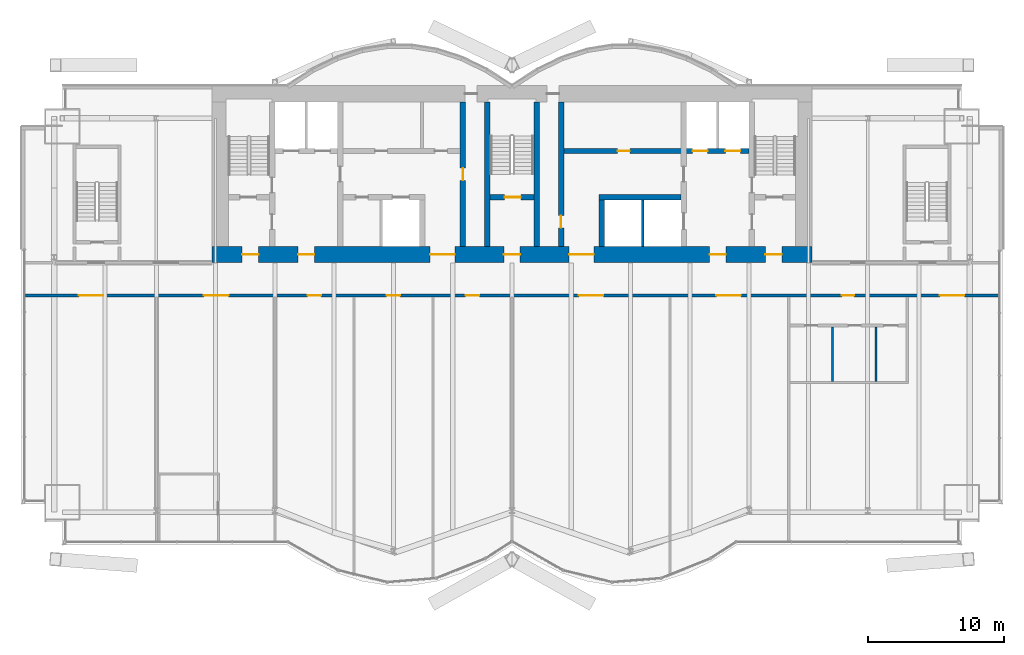
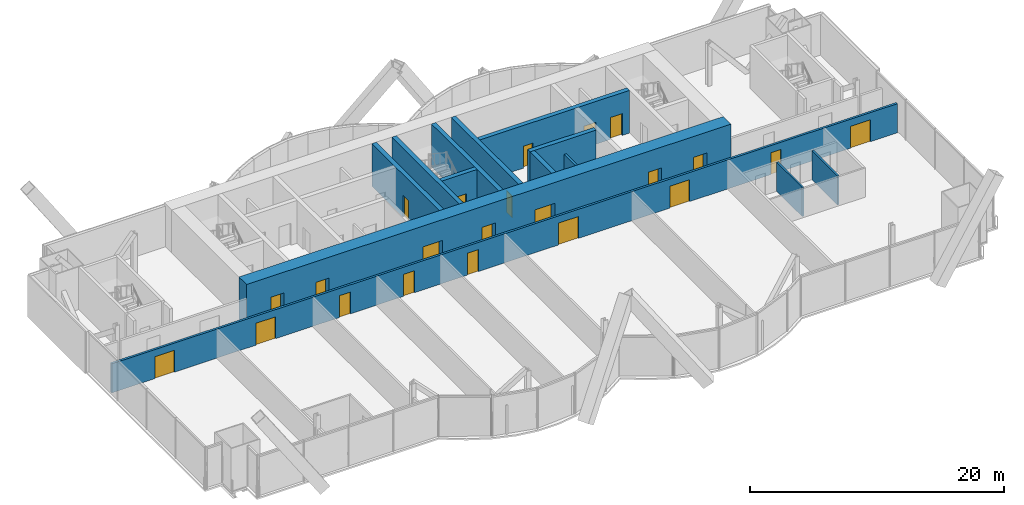
# One storey, part 16 of 21: 22 doors, 13 walls, 22 openings.
"""IFC4 building model written with IfcOpenShell, lengths in metres."""

from ifc_helpers import new_model, si_unit, direction, frame, frame_2d, origin, place, context, subcontext, project, spatial, rectangle, extrude, material, layer, layer_set, type_object, element, fill, save


model = new_model("IFC4")

# Units and contexts
model_context = context("Model", 3, precision=1e-05, world=origin(), true_north=direction((0.0, 1.0)))
body_context = subcontext(model_context, "Body", "Model", "MODEL_VIEW")
ifc_project = project(units=[si_unit("LENGTHUNIT", "METRE"), si_unit("AREAUNIT", "SQUARE_METRE"), si_unit("VOLUMEUNIT", "CUBIC_METRE"), si_unit("PLANEANGLEUNIT", "RADIAN"), si_unit("MASSUNIT", "GRAM", prefix="KILO")], contexts=[model_context])

# Site, building, storey
site_placement = place(None, origin())
site = spatial("IfcSite", under=ifc_project, at=site_placement, CompositionType="ELEMENT")
building_placement = place(site_placement, origin())
building = spatial("IfcBuilding", under=site, at=building_placement, Name="Bicima Exchange Tower", CompositionType="ELEMENT")
storey_placement = place(building_placement, frame((0.0, 0.0, 181.39990234375)))
storey = spatial("IfcBuildingStorey", under=building, at=storey_placement, Name="L40", CompositionType="ELEMENT", Elevation=181.39990234375)

# Wall
ifc_material_1 = material(Name="Gypsum board partition")
ifc_layer_1 = layer(ifc_material_1, 0.199951171875)
ifc_layer_set_1 = layer_set([ifc_layer_1], Name="Gypsum board partition")
wall_type_1 = type_object("IfcWallType", Name="Fire-rated gypsum partition 200 EI120", PredefinedType="PARTITIONING", material=ifc_layer_set_1)
wall_1_placement = place(storey_placement, frame((9.60009765625, -11.800048828125, 0.0), z_axis=(0.0, 0.0, 1.0), x_axis=(0.0, 1.0, 0.0)))
element("IfcWall", 1, at=wall_1_placement, inside=storey, type_object=wall_type_1, Name="partition wall 19", PredefinedType="PARTITIONING", context=body_context, shape_type="SweptSolid", body=[
    extrude(rectangle(XDim=3.400146484375, YDim=0.199951171875, at=frame_2d((1.7001953125, 0.0))), origin(), (0.0, 0.0, 1.0), 2.790283203125),
])

# Wall, openings, doors
ifc_layer_2 = layer(ifc_material_1, 0.199951171875)
ifc_layer_set_2 = layer_set([ifc_layer_2], Name="Gypsum board partition")
wall_type_2 = type_object("IfcWallType", Name="Fire-rated gypsum partition 200 EI60", PredefinedType="PARTITIONING", material=ifc_layer_set_2)
wall_2_placement = place(storey_placement, frame((-35.679931640625, -15.39990234375, 0.0), z_axis=(0.0, 0.0, 1.0), x_axis=(1.0, 0.0, 0.0)))
wall_2 = element("IfcWall", 2, at=wall_2_placement, inside=storey, type_object=wall_type_2, Name="partition wall 4", PredefinedType="PARTITIONING", context=body_context, shape_type="SweptSolid", body=[
    extrude(rectangle(XDim=71.35986328125, YDim=0.199951171875, at=frame_2d((35.679931640625, 0.0))), origin(), (0.0, 0.0, 1.0), 2.790283203125),
])
opening_1_placement = place(wall_2_placement, frame((3.89990234375, 0.0, 0.0)))
opening_1 = element("IfcOpeningElement", 3, at=opening_1_placement, cuts=wall_2, Name="Opening L40-007", PredefinedType="OPENING", context=body_context, shape_type="SweptSolid", body=[
    extrude(rectangle(XDim=1.800048828125, YDim=2.10009765625, at=frame_2d((0.89990234375, 1.050048828125))), frame((0.0, 0.11181640625, 0.0), z_axis=(0.0, -1.0, 0.0), x_axis=(1.0, 0.0, 0.0)), (0.0, 0.0, 1.0), 0.223876953125),
])
opening_2_placement = place(wall_2_placement, frame((13.080078125, 0.0, 0.0)))
opening_2 = element("IfcOpeningElement", 4, at=opening_2_placement, cuts=wall_2, Name="Opening L40-008", PredefinedType="OPENING", context=body_context, shape_type="SweptSolid", body=[
    extrude(rectangle(XDim=1.800048828125, YDim=2.10009765625, at=frame_2d((0.89990234375, 1.050048828125))), frame((0.0, 0.11181640625, 0.0), z_axis=(0.0, -1.0, 0.0), x_axis=(1.0, 0.0, 0.0)), (0.0, 0.0, 1.0), 0.223876953125),
])
opening_3_placement = place(wall_2_placement, frame((20.679931640625, 0.0, 0.0)))
opening_3 = element("IfcOpeningElement", 5, at=opening_3_placement, cuts=wall_2, Name="Opening L40-009", PredefinedType="OPENING", context=body_context, shape_type="SweptSolid", body=[
    extrude(rectangle(XDim=1.0, YDim=2.10009765625, at=frame_2d((0.5, 1.050048828125))), frame((0.0, 0.11181640625, 0.0), z_axis=(0.0, -1.0, 0.0), x_axis=(1.0, 0.0, 0.0)), (0.0, 0.0, 1.0), 0.223876953125),
])
opening_4_placement = place(wall_2_placement, frame((26.47998046875, 0.0, 0.0)))
opening_4 = element("IfcOpeningElement", 6, at=opening_4_placement, cuts=wall_2, Name="Opening L40-010", PredefinedType="OPENING", context=body_context, shape_type="SweptSolid", body=[
    extrude(rectangle(XDim=1.0, YDim=2.10009765625, at=frame_2d((0.5, 1.050048828125))), frame((0.0, 0.11181640625, 0.0), z_axis=(0.0, -1.0, 0.0), x_axis=(1.0, 0.0, 0.0)), (0.0, 0.0, 1.0), 0.223876953125),
])
opening_5_placement = place(wall_2_placement, frame((32.280029296875, 0.0, 0.0)))
opening_5 = element("IfcOpeningElement", 7, at=opening_5_placement, cuts=wall_2, Name="Opening L40-011", PredefinedType="OPENING", context=body_context, shape_type="SweptSolid", body=[
    extrude(rectangle(XDim=1.0, YDim=2.10009765625, at=frame_2d((0.5, 1.050048828125))), frame((0.0, 0.11181640625, 0.0), z_axis=(0.0, -1.0, 0.0), x_axis=(1.0, 0.0, 0.0)), (0.0, 0.0, 1.0), 0.223876953125),
])
opening_6_placement = place(wall_2_placement, frame((40.580078125, 0.0, 0.0)))
opening_6 = element("IfcOpeningElement", 8, at=opening_6_placement, cuts=wall_2, Name="Opening L40-012", PredefinedType="OPENING", context=body_context, shape_type="SweptSolid", body=[
    extrude(rectangle(XDim=1.800048828125, YDim=2.10009765625, at=frame_2d((0.89990234375, 1.050048828125))), frame((0.0, 0.11181640625, 0.0), z_axis=(0.0, -1.0, 0.0), x_axis=(1.0, 0.0, 0.0)), (0.0, 0.0, 1.0), 0.223876953125),
])
opening_7_placement = place(wall_2_placement, frame((50.679931640625, 0.0, 0.0)))
opening_7 = element("IfcOpeningElement", 9, at=opening_7_placement, cuts=wall_2, Name="Opening L40-013", PredefinedType="OPENING", context=body_context, shape_type="SweptSolid", body=[
    extrude(rectangle(XDim=1.800048828125, YDim=2.10009765625, at=frame_2d((0.89990234375, 1.050048828125))), frame((0.0, 0.11181640625, 0.0), z_axis=(0.0, -1.0, 0.0), x_axis=(1.0, 0.0, 0.0)), (0.0, 0.0, 1.0), 0.223876953125),
])
opening_8_placement = place(wall_2_placement, frame((59.8798828125, 0.0, 0.0)))
opening_8 = element("IfcOpeningElement", 10, at=opening_8_placement, cuts=wall_2, Name="Opening L40-014", PredefinedType="OPENING", context=body_context, shape_type="SweptSolid", body=[
    extrude(rectangle(XDim=0.89990234375, YDim=2.10009765625, at=frame_2d((0.449951171875, 1.050048828125))), frame((0.0, 0.11181640625, 0.0), z_axis=(0.0, -1.0, 0.0), x_axis=(1.0, 0.0, 0.0)), (0.0, 0.0, 1.0), 0.223876953125),
])
opening_9_placement = place(wall_2_placement, frame((67.080078125, 0.0, 0.0)))
opening_9 = element("IfcOpeningElement", 11, at=opening_9_placement, cuts=wall_2, Name="Opening L40-018", PredefinedType="OPENING", context=body_context, shape_type="SweptSolid", body=[
    extrude(rectangle(XDim=1.800048828125, YDim=2.10009765625, at=frame_2d((0.89990234375, 1.050048828125))), frame((0.0, 0.11181640625, 0.0), z_axis=(0.0, -1.0, 0.0), x_axis=(1.0, 0.0, 0.0)), (0.0, 0.0, 1.0), 0.223876953125),
])
ifc_material_2 = material(Name="Steel fire door leaf", Category="steel")
door_type_1 = type_object("IfcDoorType", Name="Door 1000 swing FD30S", OperationType="SINGLE_SWING_LEFT", PredefinedType="DOOR", material=ifc_material_2)
door_1_placement = place(opening_3_placement, frame((1.0, 0.0, 0.0), z_axis=(0.0, 0.0, 1.0), x_axis=(-1.0, 0.0, 0.0)))
door_1 = element("IfcDoor", 12, at=door_1_placement, inside=storey, type_object=door_type_1, Name="Door", OperationType="SINGLE_SWING_RIGHT", OverallHeight=2.10009765625, OverallWidth=1.0, PredefinedType="DOOR", context=body_context, shape_type="SweptSolid", body=[
    extrude(rectangle(XDim=1.0, YDim=2.10009765625, at=frame_2d((0.5, 1.050048828125))), frame((0.0, 0.02490234375, 0.0), z_axis=(0.0, -1.0, 0.0), x_axis=(1.0, 0.0, 0.0)), (0.0, 0.0, 1.0), 0.050048828125),
])
fill(opening_3, door_1)
door_2_placement = place(opening_4_placement, frame((1.0, 0.0, 0.0), z_axis=(0.0, 0.0, 1.0), x_axis=(-1.0, 0.0, 0.0)))
door_2 = element("IfcDoor", 13, at=door_2_placement, inside=storey, type_object=door_type_1, Name="Door", OperationType="SINGLE_SWING_LEFT", OverallHeight=2.10009765625, OverallWidth=1.0, PredefinedType="DOOR", context=body_context, shape_type="SweptSolid", body=[
    extrude(rectangle(XDim=1.0, YDim=2.10009765625, at=frame_2d((0.5, 1.050048828125))), frame((0.0, 0.02490234375, 0.0), z_axis=(0.0, -1.0, 0.0), x_axis=(1.0, 0.0, 0.0)), (0.0, 0.0, 1.0), 0.050048828125),
])
fill(opening_4, door_2)
door_3_placement = place(opening_5_placement, frame((1.0, 0.0, 0.0), z_axis=(0.0, 0.0, 1.0), x_axis=(-1.0, 0.0, 0.0)))
door_3 = element("IfcDoor", 14, at=door_3_placement, inside=storey, type_object=door_type_1, Name="Door", OperationType="SINGLE_SWING_RIGHT", OverallHeight=2.10009765625, OverallWidth=1.0, PredefinedType="DOOR", context=body_context, shape_type="SweptSolid", body=[
    extrude(rectangle(XDim=1.0, YDim=2.10009765625, at=frame_2d((0.5, 1.050048828125))), frame((0.0, 0.02490234375, 0.0), z_axis=(0.0, -1.0, 0.0), x_axis=(1.0, 0.0, 0.0)), (0.0, 0.0, 1.0), 0.050048828125),
])
fill(opening_5, door_3)
door_type_2 = type_object("IfcDoorType", Name="Door 1800 double swing FD30S", OperationType="DOUBLE_DOOR_SINGLE_SWING", PredefinedType="DOOR", material=ifc_material_2)
door_4_placement = place(opening_1_placement, origin())
door_4 = element("IfcDoor", 15, at=door_4_placement, inside=storey, type_object=door_type_2, Name="Door", OperationType="SINGLE_SWING_LEFT", OverallHeight=2.10009765625, OverallWidth=1.800048828125, PredefinedType="DOOR", context=body_context, shape_type="SweptSolid", body=[
    extrude(rectangle(XDim=1.800048828125, YDim=2.10009765625, at=frame_2d((0.89990234375, 1.050048828125))), frame((0.0, 0.02490234375, 0.0), z_axis=(0.0, -1.0, 0.0), x_axis=(1.0, 0.0, 0.0)), (0.0, 0.0, 1.0), 0.050048828125),
])
fill(opening_1, door_4)
door_5_placement = place(opening_2_placement, origin())
door_5 = element("IfcDoor", 16, at=door_5_placement, inside=storey, type_object=door_type_2, Name="Door", OperationType="SINGLE_SWING_LEFT", OverallHeight=2.10009765625, OverallWidth=1.800048828125, PredefinedType="DOOR", context=body_context, shape_type="SweptSolid", body=[
    extrude(rectangle(XDim=1.800048828125, YDim=2.10009765625, at=frame_2d((0.89990234375, 1.050048828125))), frame((0.0, 0.02490234375, 0.0), z_axis=(0.0, -1.0, 0.0), x_axis=(1.0, 0.0, 0.0)), (0.0, 0.0, 1.0), 0.050048828125),
])
fill(opening_2, door_5)
door_6_placement = place(opening_6_placement, origin())
door_6 = element("IfcDoor", 17, at=door_6_placement, inside=storey, type_object=door_type_2, Name="Door", OperationType="SINGLE_SWING_LEFT", OverallHeight=2.10009765625, OverallWidth=1.800048828125, PredefinedType="DOOR", context=body_context, shape_type="SweptSolid", body=[
    extrude(rectangle(XDim=1.800048828125, YDim=2.10009765625, at=frame_2d((0.89990234375, 1.050048828125))), frame((0.0, 0.02490234375, 0.0), z_axis=(0.0, -1.0, 0.0), x_axis=(1.0, 0.0, 0.0)), (0.0, 0.0, 1.0), 0.050048828125),
])
fill(opening_6, door_6)
door_7_placement = place(opening_7_placement, origin())
door_7 = element("IfcDoor", 18, at=door_7_placement, inside=storey, type_object=door_type_2, Name="Door", OperationType="SINGLE_SWING_LEFT", OverallHeight=2.10009765625, OverallWidth=1.800048828125, PredefinedType="DOOR", context=body_context, shape_type="SweptSolid", body=[
    extrude(rectangle(XDim=1.800048828125, YDim=2.10009765625, at=frame_2d((0.89990234375, 1.050048828125))), frame((0.0, 0.02490234375, 0.0), z_axis=(0.0, -1.0, 0.0), x_axis=(1.0, 0.0, 0.0)), (0.0, 0.0, 1.0), 0.050048828125),
])
fill(opening_7, door_7)
door_8_placement = place(opening_9_placement, origin())
door_8 = element("IfcDoor", 19, at=door_8_placement, inside=storey, type_object=door_type_2, Name="Door", OperationType="SINGLE_SWING_LEFT", OverallHeight=2.10009765625, OverallWidth=1.800048828125, PredefinedType="DOOR", context=body_context, shape_type="SweptSolid", body=[
    extrude(rectangle(XDim=1.800048828125, YDim=2.10009765625, at=frame_2d((0.89990234375, 1.050048828125))), frame((0.0, 0.02490234375, 0.0), z_axis=(0.0, -1.0, 0.0), x_axis=(1.0, 0.0, 0.0)), (0.0, 0.0, 1.0), 0.050048828125),
])
fill(opening_9, door_8)
door_type_3 = type_object("IfcDoorType", Name="Door 900 swing FD30S", OperationType="SINGLE_SWING_LEFT", PredefinedType="DOOR", material=ifc_material_2)
door_9_placement = place(opening_8_placement, frame((0.89990234375, 0.0, 0.0), z_axis=(0.0, 0.0, 1.0), x_axis=(-1.0, 0.0, 0.0)))
door_9 = element("IfcDoor", 20, at=door_9_placement, inside=storey, type_object=door_type_3, Name="Door", OperationType="SINGLE_SWING_RIGHT", OverallHeight=2.10009765625, OverallWidth=0.89990234375, PredefinedType="DOOR", context=body_context, shape_type="SweptSolid", body=[
    extrude(rectangle(XDim=0.89990234375, YDim=2.10009765625, at=frame_2d((0.449951171875, 1.050048828125))), frame((0.0, 0.02490234375, 0.0), z_axis=(0.0, -1.0, 0.0), x_axis=(1.0, 0.0, 0.0)), (0.0, 0.0, 1.0), 0.050048828125),
])
fill(opening_8, door_9)

# Walls
ifc_layer_3 = layer(ifc_material_1, 0.14990234375)
ifc_layer_set_3 = layer_set([ifc_layer_3], Name="Gypsum board partition")
wall_type_3 = type_object("IfcWallType", Name="Gypsum partition 150", PredefinedType="PARTITIONING", material=ifc_layer_set_3)
for number, where, z_axis, x_axis, name in (
    (21, (23.5, -21.72509765625, 0.0), (0.0, 0.0, 1.0), (0.0, 1.0, 0.0), "partition wall 27"),
    (22, (26.699951171875, -21.72509765625, 0.0), (0.0, 0.0, 1.0), (0.0, 1.0, 0.0), "partition wall 28"),
):
    element("IfcWall", number, at=place(storey_placement, frame(where, z_axis=z_axis, x_axis=x_axis)), inside=storey, type_object=wall_type_3, Name=name, PredefinedType="PARTITIONING", context=body_context, shape_type="SweptSolid", body=[
        extrude(rectangle(XDim=4.025146484375, YDim=0.14990234375, at=frame_2d((2.0126953125, 0.0))), origin(), (0.0, 0.0, 1.0), 2.790283203125),
    ])

# Wall, openings, doors
ifc_material_3 = material(Name="Concrete C50/60", Category="concrete")
ifc_layer_4 = layer(ifc_material_3, 1.199951171875)
ifc_layer_set_4 = layer_set([ifc_layer_4], Name="Concrete C50/60")
wall_type_4 = type_object("IfcWallType", Name="RC core wall 1200 C50/60", PredefinedType="SHEAR", material=ifc_layer_set_4)
wall_3_placement = place(storey_placement, frame((-22.0, -12.39990234375, 0.0), z_axis=(0.0, 0.0, 1.0), x_axis=(1.0, 0.0, 0.0)))
wall_3 = element("IfcWall", 23, at=wall_3_placement, inside=storey, type_object=wall_type_4, Name="Core wall south", PredefinedType="SHEAR", context=body_context, shape_type="SweptSolid", body=[
    extrude(rectangle(XDim=44.0, YDim=1.199951171875, at=frame_2d((22.0, 0.0))), origin(), (0.0, 0.0, 1.0), 4.10009765625),
])
opening_10_placement = place(wall_3_placement, frame((2.199951171875, 0.0, 0.0)))
opening_10 = element("IfcOpeningElement", 24, at=opening_10_placement, cuts=wall_3, Name="Opening L40-C18", PredefinedType="OPENING", context=body_context, shape_type="SweptSolid", body=[
    extrude(rectangle(XDim=1.199951171875, YDim=2.10009765625, at=frame_2d((0.60009765625, 1.050048828125))), frame((0.0, 0.61181640625, 0.0), z_axis=(0.0, -1.0, 0.0), x_axis=(1.0, 0.0, 0.0)), (0.0, 0.0, 1.0), 1.223876953125),
])
opening_11_placement = place(wall_3_placement, frame((21.39990234375, 0.0, 0.0)))
opening_11 = element("IfcOpeningElement", 25, at=opening_11_placement, cuts=wall_3, Name="Opening L40-C19", PredefinedType="OPENING", context=body_context, shape_type="SweptSolid", body=[
    extrude(rectangle(XDim=1.199951171875, YDim=2.10009765625, at=frame_2d((0.60009765625, 1.050048828125))), frame((0.0, 0.61181640625, 0.0), z_axis=(0.0, -1.0, 0.0), x_axis=(1.0, 0.0, 0.0)), (0.0, 0.0, 1.0), 1.223876953125),
])
opening_12_placement = place(wall_3_placement, frame((40.60009765625, 0.0, 0.0)))
opening_12 = element("IfcOpeningElement", 26, at=opening_12_placement, cuts=wall_3, Name="Opening L40-C20", PredefinedType="OPENING", context=body_context, shape_type="SweptSolid", body=[
    extrude(rectangle(XDim=1.199951171875, YDim=2.10009765625, at=frame_2d((0.60009765625, 1.050048828125))), frame((0.0, 0.61181640625, 0.0), z_axis=(0.0, -1.0, 0.0), x_axis=(1.0, 0.0, 0.0)), (0.0, 0.0, 1.0), 1.223876953125),
])
opening_13_placement = place(wall_3_placement, frame((16.0, 0.0, 0.0)))
opening_13 = element("IfcOpeningElement", 27, at=opening_13_placement, cuts=wall_3, Name="Opening L40-C21", PredefinedType="OPENING", context=body_context, shape_type="SweptSolid", body=[
    extrude(rectangle(XDim=1.800048828125, YDim=2.10009765625, at=frame_2d((0.89990234375, 1.050048828125))), frame((0.0, 0.61181640625, 0.0), z_axis=(0.0, -1.0, 0.0), x_axis=(1.0, 0.0, 0.0)), (0.0, 0.0, 1.0), 1.223876953125),
])
opening_14_placement = place(wall_3_placement, frame((6.300048828125, 0.0, 0.0)))
opening_14 = element("IfcOpeningElement", 28, at=opening_14_placement, cuts=wall_3, Name="Opening L40-C22", PredefinedType="OPENING", context=body_context, shape_type="SweptSolid", body=[
    extrude(rectangle(XDim=1.199951171875, YDim=2.10009765625, at=frame_2d((0.60009765625, 1.050048828125))), frame((0.0, 0.61181640625, 0.0), z_axis=(0.0, -1.0, 0.0), x_axis=(1.0, 0.0, 0.0)), (0.0, 0.0, 1.0), 1.223876953125),
])
opening_15_placement = place(wall_3_placement, frame((26.199951171875, 0.0, 0.0)))
opening_15 = element("IfcOpeningElement", 29, at=opening_15_placement, cuts=wall_3, Name="Opening L40-C23", PredefinedType="OPENING", context=body_context, shape_type="SweptSolid", body=[
    extrude(rectangle(XDim=1.800048828125, YDim=2.10009765625, at=frame_2d((0.89990234375, 1.050048828125))), frame((0.0, 0.61181640625, 0.0), z_axis=(0.0, -1.0, 0.0), x_axis=(1.0, 0.0, 0.0)), (0.0, 0.0, 1.0), 1.223876953125),
])
opening_16_placement = place(wall_3_placement, frame((36.5, 0.0, 0.0)))
opening_16 = element("IfcOpeningElement", 30, at=opening_16_placement, cuts=wall_3, Name="Opening L40-C24", PredefinedType="OPENING", context=body_context, shape_type="SweptSolid", body=[
    extrude(rectangle(XDim=1.199951171875, YDim=2.10009765625, at=frame_2d((0.60009765625, 1.050048828125))), frame((0.0, 0.61181640625, 0.0), z_axis=(0.0, -1.0, 0.0), x_axis=(1.0, 0.0, 0.0)), (0.0, 0.0, 1.0), 1.223876953125),
])
door_type_4 = type_object("IfcDoorType", Name="Door 1200 swing FD60S", OperationType="SINGLE_SWING_LEFT", PredefinedType="DOOR", material=ifc_material_2)
door_10_placement = place(opening_10_placement, frame((1.199951171875, 0.0, 0.0), z_axis=(0.0, 0.0, 1.0), x_axis=(-1.0, 0.0, 0.0)))
door_10 = element("IfcDoor", 31, at=door_10_placement, inside=storey, type_object=door_type_4, Name="Core door", OperationType="SINGLE_SWING_RIGHT", OverallHeight=2.10009765625, OverallWidth=1.199951171875, PredefinedType="DOOR", context=body_context, shape_type="SweptSolid", body=[
    extrude(rectangle(XDim=1.199951171875, YDim=2.10009765625, at=frame_2d((0.60009765625, 1.050048828125))), frame((0.0, 0.02490234375, 0.0), z_axis=(0.0, -1.0, 0.0), x_axis=(1.0, 0.0, 0.0)), (0.0, 0.0, 1.0), 0.050048828125),
])
fill(opening_10, door_10)
door_11_placement = place(opening_11_placement, frame((1.199951171875, 0.0, 0.0), z_axis=(0.0, 0.0, 1.0), x_axis=(-1.0, 0.0, 0.0)))
door_11 = element("IfcDoor", 32, at=door_11_placement, inside=storey, type_object=door_type_4, Name="Core door", OperationType="SINGLE_SWING_RIGHT", OverallHeight=2.10009765625, OverallWidth=1.199951171875, PredefinedType="DOOR", context=body_context, shape_type="SweptSolid", body=[
    extrude(rectangle(XDim=1.199951171875, YDim=2.10009765625, at=frame_2d((0.60009765625, 1.050048828125))), frame((0.0, 0.02490234375, 0.0), z_axis=(0.0, -1.0, 0.0), x_axis=(1.0, 0.0, 0.0)), (0.0, 0.0, 1.0), 0.050048828125),
])
fill(opening_11, door_11)
door_12_placement = place(opening_12_placement, frame((1.199951171875, 0.0, 0.0), z_axis=(0.0, 0.0, 1.0), x_axis=(-1.0, 0.0, 0.0)))
door_12 = element("IfcDoor", 33, at=door_12_placement, inside=storey, type_object=door_type_4, Name="Core door", OperationType="SINGLE_SWING_RIGHT", OverallHeight=2.10009765625, OverallWidth=1.199951171875, PredefinedType="DOOR", context=body_context, shape_type="SweptSolid", body=[
    extrude(rectangle(XDim=1.199951171875, YDim=2.10009765625, at=frame_2d((0.60009765625, 1.050048828125))), frame((0.0, 0.02490234375, 0.0), z_axis=(0.0, -1.0, 0.0), x_axis=(1.0, 0.0, 0.0)), (0.0, 0.0, 1.0), 0.050048828125),
])
fill(opening_12, door_12)
door_13_placement = place(opening_14_placement, frame((1.199951171875, 0.0, 0.0), z_axis=(0.0, 0.0, 1.0), x_axis=(-1.0, 0.0, 0.0)))
door_13 = element("IfcDoor", 34, at=door_13_placement, inside=storey, type_object=door_type_4, Name="Core door", OperationType="SINGLE_SWING_RIGHT", OverallHeight=2.10009765625, OverallWidth=1.199951171875, PredefinedType="DOOR", context=body_context, shape_type="SweptSolid", body=[
    extrude(rectangle(XDim=1.199951171875, YDim=2.10009765625, at=frame_2d((0.60009765625, 1.050048828125))), frame((0.0, 0.02490234375, 0.0), z_axis=(0.0, -1.0, 0.0), x_axis=(1.0, 0.0, 0.0)), (0.0, 0.0, 1.0), 0.050048828125),
])
fill(opening_14, door_13)
door_14_placement = place(opening_16_placement, frame((1.199951171875, 0.0, 0.0), z_axis=(0.0, 0.0, 1.0), x_axis=(-1.0, 0.0, 0.0)))
door_14 = element("IfcDoor", 35, at=door_14_placement, inside=storey, type_object=door_type_4, Name="Core door", OperationType="SINGLE_SWING_RIGHT", OverallHeight=2.10009765625, OverallWidth=1.199951171875, PredefinedType="DOOR", context=body_context, shape_type="SweptSolid", body=[
    extrude(rectangle(XDim=1.199951171875, YDim=2.10009765625, at=frame_2d((0.60009765625, 1.050048828125))), frame((0.0, 0.02490234375, 0.0), z_axis=(0.0, -1.0, 0.0), x_axis=(1.0, 0.0, 0.0)), (0.0, 0.0, 1.0), 0.050048828125),
])
fill(opening_16, door_14)
door_15_placement = place(opening_13_placement, origin())
door_15 = element("IfcDoor", 36, at=door_15_placement, inside=storey, type_object=door_type_2, Name="Core door", OperationType="SINGLE_SWING_LEFT", OverallHeight=2.10009765625, OverallWidth=1.800048828125, PredefinedType="DOOR", context=body_context, shape_type="SweptSolid", body=[
    extrude(rectangle(XDim=1.800048828125, YDim=2.10009765625, at=frame_2d((0.89990234375, 1.050048828125))), frame((0.0, 0.02490234375, 0.0), z_axis=(0.0, -1.0, 0.0), x_axis=(1.0, 0.0, 0.0)), (0.0, 0.0, 1.0), 0.050048828125),
])
fill(opening_13, door_15)
door_16_placement = place(opening_15_placement, origin())
door_16 = element("IfcDoor", 37, at=door_16_placement, inside=storey, type_object=door_type_2, Name="Core door", OperationType="SINGLE_SWING_LEFT", OverallHeight=2.10009765625, OverallWidth=1.800048828125, PredefinedType="DOOR", context=body_context, shape_type="SweptSolid", body=[
    extrude(rectangle(XDim=1.800048828125, YDim=2.10009765625, at=frame_2d((0.89990234375, 1.050048828125))), frame((0.0, 0.02490234375, 0.0), z_axis=(0.0, -1.0, 0.0), x_axis=(1.0, 0.0, 0.0)), (0.0, 0.0, 1.0), 0.050048828125),
])
fill(opening_15, door_16)

# Wall, opening, door
ifc_layer_5 = layer(ifc_material_3, 0.39990234375)
ifc_layer_set_5 = layer_set([ifc_layer_5], Name="Concrete C50/60")
wall_type_5 = type_object("IfcWallType", Name="RC core wall 400 C50/60", PredefinedType="SHEAR", material=ifc_layer_set_5)
wall_4_placement = place(storey_placement, frame((-1.60009765625, -8.199951171875, 0.0), z_axis=(0.0, 0.0, 1.0), x_axis=(1.0, 0.0, 0.0)))
wall_4 = element("IfcWall", 38, at=wall_4_placement, inside=storey, type_object=wall_type_5, Name="stair wall 3", PredefinedType="SHEAR", context=body_context, shape_type="SweptSolid", body=[
    extrude(rectangle(XDim=3.2001953125, YDim=0.39990234375, at=frame_2d((1.60009765625, 0.0))), origin(), (0.0, 0.0, 1.0), 4.10009765625),
])
opening_17_placement = place(wall_4_placement, frame((1.050048828125, 0.0, 0.0)))
opening_17 = element("IfcOpeningElement", 39, at=opening_17_placement, cuts=wall_4, Name="Opening L40-C03", PredefinedType="OPENING", context=body_context, shape_type="SweptSolid", body=[
    extrude(rectangle(XDim=1.199951171875, YDim=2.10009765625, at=frame_2d((0.60009765625, 1.050048828125))), frame((0.0, 0.2119140625, 0.0), z_axis=(0.0, -1.0, 0.0), x_axis=(1.0, 0.0, 0.0)), (0.0, 0.0, 1.0), 0.423828125),
])
door_17_placement = place(opening_17_placement, origin())
door_17 = element("IfcDoor", 40, at=door_17_placement, inside=storey, type_object=door_type_4, Name="Core door", OperationType="SINGLE_SWING_LEFT", OverallHeight=2.10009765625, OverallWidth=1.199951171875, PredefinedType="DOOR", context=body_context, shape_type="SweptSolid", body=[
    extrude(rectangle(XDim=1.199951171875, YDim=2.10009765625, at=frame_2d((0.60009765625, 1.050048828125))), frame((0.0, 0.02490234375, 0.0), z_axis=(0.0, -1.0, 0.0), x_axis=(1.0, 0.0, 0.0)), (0.0, 0.0, 1.0), 0.050048828125),
])
fill(opening_17, door_17)

# Wall
wall_5_placement = place(storey_placement, frame((6.39990234375, -8.199951171875, 0.0), z_axis=(0.0, 0.0, 1.0), x_axis=(1.0, 0.0, 0.0)))
element("IfcWall", 41, at=wall_5_placement, inside=storey, type_object=wall_type_5, Name="shear wall 4", PredefinedType="SHEAR", context=body_context, shape_type="SweptSolid", body=[
    extrude(rectangle(XDim=6.0, YDim=0.39990234375, at=frame_2d((3.0, 0.0))), origin(), (0.0, 0.0, 1.0), 4.10009765625),
])

# Wall, openings, doors
wall_6_placement = place(storey_placement, frame((3.800048828125, -4.800048828125, 0.0), z_axis=(0.0, 0.0, 1.0), x_axis=(1.0, 0.0, 0.0)))
wall_6 = element("IfcWall", 42, at=wall_6_placement, inside=storey, type_object=wall_type_5, Name="shear wall 7", PredefinedType="SHEAR", context=body_context, shape_type="SweptSolid", body=[
    extrude(rectangle(XDim=13.599853515625, YDim=0.39990234375, at=frame_2d((6.7998046875, 0.0))), origin(), (0.0, 0.0, 1.0), 4.10009765625),
])
opening_18_placement = place(wall_6_placement, frame((9.449951171875, 0.0, 0.0)))
opening_18 = element("IfcOpeningElement", 43, at=opening_18_placement, cuts=wall_6, Name="Opening LD-FF2-L40", PredefinedType="OPENING", context=body_context, shape_type="SweptSolid", body=[
    extrude(rectangle(XDim=1.10009765625, YDim=2.10009765625, at=frame_2d((0.550048828125, 1.050048828125))), frame((0.0, 0.2119140625, 0.0), z_axis=(0.0, -1.0, 0.0), x_axis=(1.0, 0.0, 0.0)), (0.0, 0.0, 1.0), 0.423828125),
])
opening_19_placement = place(wall_6_placement, frame((11.85009765625, 0.0, 0.0)))
opening_19 = element("IfcOpeningElement", 44, at=opening_19_placement, cuts=wall_6, Name="Opening LD-SV1-L40", PredefinedType="OPENING", context=body_context, shape_type="SweptSolid", body=[
    extrude(rectangle(XDim=1.10009765625, YDim=2.10009765625, at=frame_2d((0.550048828125, 1.050048828125))), frame((0.0, 0.2119140625, 0.0), z_axis=(0.0, -1.0, 0.0), x_axis=(1.0, 0.0, 0.0)), (0.0, 0.0, 1.0), 0.423828125),
])
opening_20_placement = place(wall_6_placement, frame((3.949951171875, 0.0, 0.0)))
opening_20 = element("IfcOpeningElement", 45, at=opening_20_placement, cuts=wall_6, Name="Opening L40-C14", PredefinedType="OPENING", context=body_context, shape_type="SweptSolid", body=[
    extrude(rectangle(XDim=0.89990234375, YDim=2.10009765625, at=frame_2d((0.449951171875, 1.050048828125))), frame((0.0, 0.2119140625, 0.0), z_axis=(0.0, -1.0, 0.0), x_axis=(1.0, 0.0, 0.0)), (0.0, 0.0, 1.0), 0.423828125),
])
door_18_placement = place(opening_20_placement, origin())
door_18 = element("IfcDoor", 46, at=door_18_placement, inside=storey, type_object=door_type_3, Name="Core door", OperationType="SINGLE_SWING_RIGHT", OverallHeight=2.10009765625, OverallWidth=0.89990234375, PredefinedType="DOOR", context=body_context, shape_type="SweptSolid", body=[
    extrude(rectangle(XDim=0.89990234375, YDim=2.10009765625, at=frame_2d((0.449951171875, 1.050048828125))), frame((0.0, 0.02490234375, 0.0), z_axis=(0.0, -1.0, 0.0), x_axis=(1.0, 0.0, 0.0)), (0.0, 0.0, 1.0), 0.050048828125),
])
fill(opening_20, door_18)
ifc_material_4 = material(Name="Stainless steel", Category="steel")
door_type_5 = type_object("IfcDoorType", Name="Lift landing door 1100 sliding", OperationType="DOUBLE_DOOR_SLIDING", PredefinedType="DOOR", material=ifc_material_4)
door_19_placement = place(opening_18_placement, origin())
door_19 = element("IfcDoor", 47, at=door_19_placement, inside=storey, type_object=door_type_5, Name="Lift landing door FF2", OperationType="DOUBLE_DOOR_SLIDING", OverallHeight=2.10009765625, OverallWidth=1.10009765625, PredefinedType="DOOR", context=body_context, shape_type="SweptSolid", body=[
    extrude(rectangle(XDim=1.10009765625, YDim=2.10009765625, at=frame_2d((0.550048828125, 1.050048828125))), frame((0.0, 0.02490234375, 0.0), z_axis=(0.0, -1.0, 0.0), x_axis=(1.0, 0.0, 0.0)), (0.0, 0.0, 1.0), 0.050048828125),
])
fill(opening_18, door_19)
door_20_placement = place(opening_19_placement, origin())
door_20 = element("IfcDoor", 48, at=door_20_placement, inside=storey, type_object=door_type_5, Name="Lift landing door SV1", OperationType="DOUBLE_DOOR_SLIDING", OverallHeight=2.10009765625, OverallWidth=1.10009765625, PredefinedType="DOOR", context=body_context, shape_type="SweptSolid", body=[
    extrude(rectangle(XDim=1.10009765625, YDim=2.10009765625, at=frame_2d((0.550048828125, 1.050048828125))), frame((0.0, 0.02490234375, 0.0), z_axis=(0.0, -1.0, 0.0), x_axis=(1.0, 0.0, 0.0)), (0.0, 0.0, 1.0), 0.050048828125),
])
fill(opening_19, door_20)

# Wall, opening, door
wall_7_placement = place(storey_placement, frame((-3.60009765625, -11.800048828125, 0.0), z_axis=(0.0, 0.0, 1.0), x_axis=(0.0, 1.0, 0.0)))
wall_7 = element("IfcWall", 49, at=wall_7_placement, inside=storey, type_object=wall_type_5, Name="shear wall 14", PredefinedType="SHEAR", context=body_context, shape_type="SweptSolid", body=[
    extrude(rectangle(XDim=10.60009765625, YDim=0.39990234375, at=frame_2d((5.300048828125, 0.0))), origin(), (0.0, 0.0, 1.0), 4.10009765625),
])
opening_21_placement = place(wall_7_placement, frame((4.85009765625, 0.0, 0.0)))
opening_21 = element("IfcOpeningElement", 50, at=opening_21_placement, cuts=wall_7, Name="Opening L40-C10", PredefinedType="OPENING", context=body_context, shape_type="SweptSolid", body=[
    extrude(rectangle(XDim=0.89990234375, YDim=2.10009765625, at=frame_2d((0.449951171875, 1.050048828125))), frame((0.0, 0.2119140625, 0.0), z_axis=(0.0, -1.0, 0.0), x_axis=(1.0, 0.0, 0.0)), (0.0, 0.0, 1.0), 0.423828125),
])
door_21_placement = place(opening_21_placement, frame((0.89990234375, 0.0, 0.0), z_axis=(0.0, 0.0, 1.0), x_axis=(-1.0, 0.0, 0.0)))
door_21 = element("IfcDoor", 51, at=door_21_placement, inside=storey, type_object=door_type_3, Name="Core door", OperationType="SINGLE_SWING_LEFT", OverallHeight=2.10009765625, OverallWidth=0.89990234375, PredefinedType="DOOR", context=body_context, shape_type="SweptSolid", body=[
    extrude(rectangle(XDim=0.89990234375, YDim=2.10009765625, at=frame_2d((0.449951171875, 1.050048828125))), frame((0.0, 0.02490234375, 0.0), z_axis=(0.0, -1.0, 0.0), x_axis=(1.0, 0.0, 0.0)), (0.0, 0.0, 1.0), 0.050048828125),
])
fill(opening_21, door_21)

# Walls
for number, where, z_axis, x_axis, name in (
    (52, (-1.800048828125, -11.800048828125, 0.0), (0.0, 0.0, 1.0), (0.0, 1.0, 0.0), "stair wall 15"),
    (53, (1.800048828125, -11.800048828125, 0.0), (0.0, 0.0, 1.0), (0.0, 1.0, 0.0), "stair wall 16"),
):
    element("IfcWall", number, at=place(storey_placement, frame(where, z_axis=z_axis, x_axis=x_axis)), inside=storey, type_object=wall_type_5, Name=name, PredefinedType="SHEAR", context=body_context, shape_type="SweptSolid", body=[
        extrude(rectangle(XDim=10.60009765625, YDim=0.39990234375, at=frame_2d((5.300048828125, 0.0))), origin(), (0.0, 0.0, 1.0), 4.10009765625),
    ])

# Wall, opening, door
wall_8_placement = place(storey_placement, frame((3.60009765625, -11.800048828125, 0.0), z_axis=(0.0, 0.0, 1.0), x_axis=(0.0, 1.0, 0.0)))
wall_8 = element("IfcWall", 54, at=wall_8_placement, inside=storey, type_object=wall_type_5, Name="shear wall 17", PredefinedType="SHEAR", context=body_context, shape_type="SweptSolid", body=[
    extrude(rectangle(XDim=10.60009765625, YDim=0.39990234375, at=frame_2d((5.300048828125, 0.0))), origin(), (0.0, 0.0, 1.0), 4.10009765625),
])
opening_22_placement = place(wall_8_placement, frame((1.35009765625, 0.0, 0.0)))
opening_22 = element("IfcOpeningElement", 55, at=opening_22_placement, cuts=wall_8, Name="Opening L40-C11", PredefinedType="OPENING", context=body_context, shape_type="SweptSolid", body=[
    extrude(rectangle(XDim=0.89990234375, YDim=2.10009765625, at=frame_2d((0.449951171875, 1.050048828125))), frame((0.0, 0.2119140625, 0.0), z_axis=(0.0, -1.0, 0.0), x_axis=(1.0, 0.0, 0.0)), (0.0, 0.0, 1.0), 0.423828125),
])
door_22_placement = place(opening_22_placement, origin())
door_22 = element("IfcDoor", 56, at=door_22_placement, inside=storey, type_object=door_type_3, Name="Core door", OperationType="SINGLE_SWING_LEFT", OverallHeight=2.10009765625, OverallWidth=0.89990234375, PredefinedType="DOOR", context=body_context, shape_type="SweptSolid", body=[
    extrude(rectangle(XDim=0.89990234375, YDim=2.10009765625, at=frame_2d((0.449951171875, 1.050048828125))), frame((0.0, 0.02490234375, 0.0), z_axis=(0.0, -1.0, 0.0), x_axis=(1.0, 0.0, 0.0)), (0.0, 0.0, 1.0), 0.050048828125),
])
fill(opening_22, door_22)

# Wall
wall_9_placement = place(storey_placement, frame((6.60009765625, -11.800048828125, 0.0), z_axis=(0.0, 0.0, 1.0), x_axis=(0.0, 1.0, 0.0)))
element("IfcWall", 57, at=wall_9_placement, inside=storey, type_object=wall_type_5, Name="shear wall 18", PredefinedType="SHEAR", context=body_context, shape_type="SweptSolid", body=[
    extrude(rectangle(XDim=3.400146484375, YDim=0.39990234375, at=frame_2d((1.7001953125, 0.0))), origin(), (0.0, 0.0, 1.0), 4.10009765625),
])

save(model, "model.ifc")
